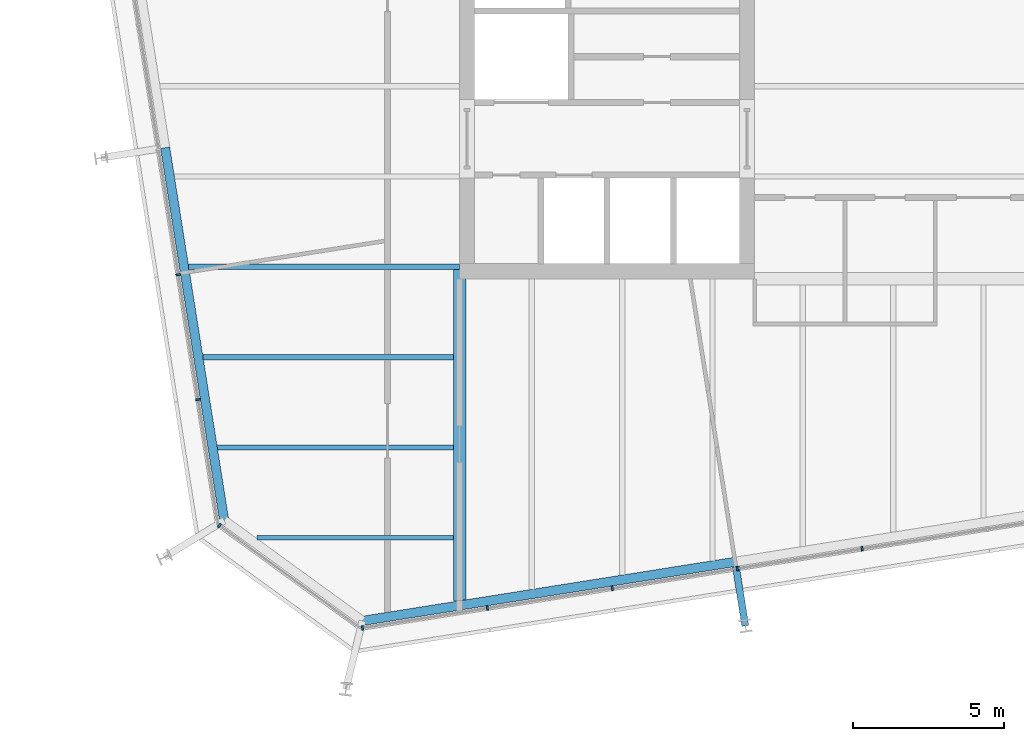
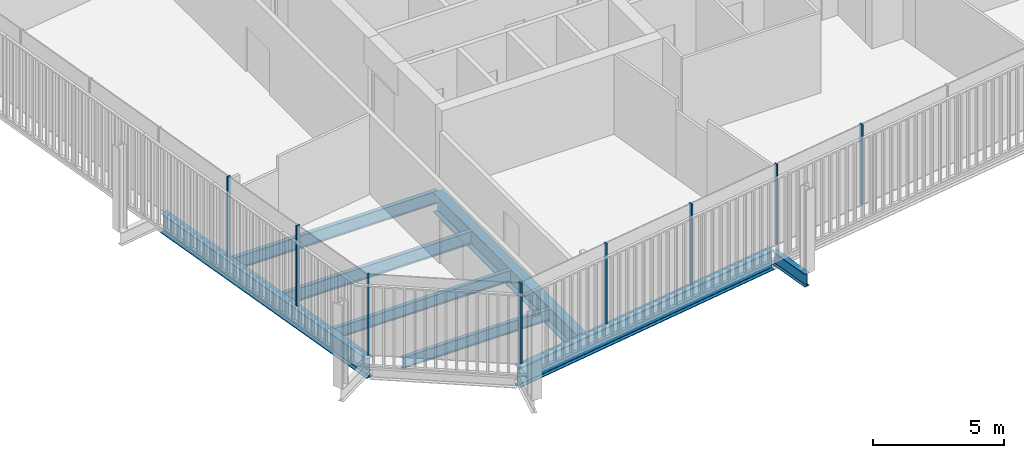
# One storey, part 2 of 20: 8 beams, 8 members, 3 elements without a shape of their own.
"""IFC4 building model written with IfcOpenShell, lengths in metres."""

from ifc_helpers import new_model, si_unit, direction, frame, origin, origin_2d, place, context, subcontext, project, spatial, rectangle, i_section, extrude, material, layer, layer_set, material_profile, profile_set, type_object, element, aggregate, save


model = new_model("IFC4")

# Units and contexts
model_context = context("Model", 3, precision=1e-05, world=origin(), true_north=direction((0.0, 1.0)))
body_context = subcontext(model_context, "Body", "Model", "MODEL_VIEW")
ifc_project = project(units=[si_unit("LENGTHUNIT", "METRE"), si_unit("AREAUNIT", "SQUARE_METRE"), si_unit("VOLUMEUNIT", "CUBIC_METRE"), si_unit("PLANEANGLEUNIT", "RADIAN"), si_unit("MASSUNIT", "GRAM", prefix="KILO")], contexts=[model_context])

# Site, building, storey
site_placement = place(None, origin())
site = spatial("IfcSite", under=ifc_project, at=site_placement, CompositionType="ELEMENT")
building_placement = place(site_placement, origin())
building = spatial("IfcBuilding", under=site, at=building_placement, Name="Millrace Tower", CompositionType="ELEMENT")
storey_placement = place(building_placement, frame((0.0, 0.0, 259.10009765625)))
storey = spatial("IfcBuildingStorey", under=building, at=storey_placement, Name="L59", CompositionType="ELEMENT", Elevation=259.10009765625)

# Curtain wall, member
ifc_material_1 = material(Name="Aluminium and glass", Category="aluminium")
ifc_layer = layer(ifc_material_1, 0.14990234375)
ifc_layer_set = layer_set([ifc_layer], Name="Aluminium and glass")
curtain_wall_type = type_object("IfcCurtainWallType", Name="CW-1 office vision curtain wall", PredefinedType="NOTDEFINED", material=ifc_layer_set)
placement = place(storey_placement, origin())
curtain_wall_1 = element("IfcCurtainWall", 1, at=placement, inside=storey, type_object=curtain_wall_type, Name="Curtain wall D-F01 L59", PredefinedType="NOTDEFINED")
ifc_material_2 = material(Name="Aluminium", Category="aluminium")
ifc_material_profile_1 = material_profile(ifc_material_2, rectangle(XDim=0.06494140625, YDim=0.14990234375, at=origin_2d()))
ifc_profile_set_1 = profile_set([ifc_material_profile_1], Name="Aluminium")
member_type = type_object("IfcMemberType", Name="CW-1 office vision curtain wall mullion", PredefinedType="MULLION", material=ifc_profile_set_1)
member_1_placement = place(storey_placement, frame((-22.3779296875, -17.594970703125, 0.139892578125), z_axis=(0.0, 0.0, 1.0), x_axis=(0.809016955361, -0.587785305991, 0.0)))
member_1 = element("IfcMember", 2, at=member_1_placement, type_object=member_type, Name="CW1 mullion D-F01.1", PredefinedType="MULLION", context=body_context, shape_type="SweptSolid", body=[
    extrude(rectangle(XDim=0.06494140625, YDim=0.14990234375, at=origin_2d()), origin(), (0.0, 0.0, 1.0), 3.760009765625),
])
aggregate(curtain_wall_1, [member_1])

# Curtain wall, members
curtain_wall_2 = element("IfcCurtainWall", 3, at=placement, inside=storey, type_object=curtain_wall_type, Name="Curtain wall D-F02 L59", PredefinedType="NOTDEFINED")
member_2_placement = place(storey_placement, frame((-17.62548828125, -20.992431640625, 0.139892578125), z_axis=(0.0, 0.0, 1.0), x_axis=(0.987688339511, 0.156434471884, 0.0)))
member_2 = element("IfcMember", 4, at=member_2_placement, type_object=member_type, Name="CW1 mullion D-F02.1", PredefinedType="MULLION", context=body_context, shape_type="SweptSolid", body=[
    extrude(rectangle(XDim=0.06494140625, YDim=0.14990234375, at=origin_2d()), origin(), (0.0, 0.0, 1.0), 3.760009765625),
])
member_3_placement = place(storey_placement, frame((-13.477294921875, -20.33544921875, 0.139892578125), z_axis=(0.0, 0.0, 1.0), x_axis=(0.987688339511, 0.156434471884, 0.0)))
member_3 = element("IfcMember", 5, at=member_3_placement, type_object=member_type, Name="CW1 mullion D-F02.2", PredefinedType="MULLION", context=body_context, shape_type="SweptSolid", body=[
    extrude(rectangle(XDim=0.06494140625, YDim=0.14990234375, at=origin_2d()), origin(), (0.0, 0.0, 1.0), 3.760009765625),
])
member_4_placement = place(storey_placement, frame((-9.328857421875, -19.678466796875, 0.139892578125), z_axis=(0.0, 0.0, 1.0), x_axis=(0.987688339511, 0.156434471884, 0.0)))
member_4 = element("IfcMember", 6, at=member_4_placement, type_object=member_type, Name="CW1 mullion D-F02.3", PredefinedType="MULLION", context=body_context, shape_type="SweptSolid", body=[
    extrude(rectangle(XDim=0.06494140625, YDim=0.14990234375, at=origin_2d()), origin(), (0.0, 0.0, 1.0), 3.760009765625),
])
member_5_placement = place(storey_placement, frame((-5.1806640625, -19.021240234375, 0.139892578125), z_axis=(0.0, 0.0, 1.0), x_axis=(0.987688339511, 0.156434471884, 0.0)))
member_5 = element("IfcMember", 7, at=member_5_placement, type_object=member_type, Name="CW1 mullion D-F02.4", PredefinedType="MULLION", context=body_context, shape_type="SweptSolid", body=[
    extrude(rectangle(XDim=0.06494140625, YDim=0.14990234375, at=origin_2d()), origin(), (0.0, 0.0, 1.0), 3.760009765625),
])
member_6_placement = place(storey_placement, frame((-1.0322265625, -18.3642578125, 0.139892578125), z_axis=(0.0, 0.0, 1.0), x_axis=(0.987688339511, 0.156434471884, 0.0)))
member_6 = element("IfcMember", 8, at=member_6_placement, type_object=member_type, Name="CW1 mullion D-F02.5", PredefinedType="MULLION", context=body_context, shape_type="SweptSolid", body=[
    extrude(rectangle(XDim=0.06494140625, YDim=0.14990234375, at=origin_2d()), origin(), (0.0, 0.0, 1.0), 3.760009765625),
])
aggregate(curtain_wall_2, [member_2, member_3, member_4, member_5, member_6])

curtain_wall_3 = element("IfcCurtainWall", 9, at=placement, inside=storey, type_object=curtain_wall_type, Name="Curtain wall D-F08 L59", PredefinedType="NOTDEFINED")
member_7_placement = place(storey_placement, frame((-23.7431640625, -9.262451171875, 0.139892578125), z_axis=(0.0, 0.0, 1.0), x_axis=(0.156434471884, -0.987688339511, 0.0)))
member_7 = element("IfcMember", 10, at=member_7_placement, type_object=member_type, Name="CW1 mullion D-F08.8", PredefinedType="MULLION", context=body_context, shape_type="SweptSolid", body=[
    extrude(rectangle(XDim=0.06494140625, YDim=0.14990234375, at=origin_2d()), origin(), (0.0, 0.0, 1.0), 3.760009765625),
])
member_8_placement = place(storey_placement, frame((-23.086181640625, -13.410888671875, 0.139892578125), z_axis=(0.0, 0.0, 1.0), x_axis=(0.156434471884, -0.987688339511, 0.0)))
member_8 = element("IfcMember", 11, at=member_8_placement, type_object=member_type, Name="CW1 mullion D-F08.9", PredefinedType="MULLION", context=body_context, shape_type="SweptSolid", body=[
    extrude(rectangle(XDim=0.06494140625, YDim=0.14990234375, at=origin_2d()), origin(), (0.0, 0.0, 1.0), 3.760009765625),
])
aggregate(curtain_wall_3, [member_7, member_8])

# Beams
ifc_material_3 = material(Name="Steel ASTM A992 Grade 50", Category="steel")
ifc_material_profile_2 = material_profile(ifc_material_3, i_section(OverallWidth=0.1650390625, OverallDepth=0.52587890625, WebThickness=0.0087890625, FlangeThickness=0.011474609375, FilletRadius=0.0126953125, at=origin_2d()))
ifc_profile_set_2 = profile_set([ifc_material_profile_2], Name="Steel ASTM A992 Grade 50")
beam_type_1 = type_object("IfcBeamType", Name="Floor beam W21x44", PredefinedType="JOIST", material=ifc_profile_set_2)
beam_1_placement = place(storey_placement, frame((-22.447509765625, -15.0, -0.423095703125), z_axis=(1.0, 0.0, 0.0), x_axis=(0.0, 1.0, 0.0)))
element("IfcBeam", 12, at=beam_1_placement, inside=storey, type_object=beam_type_1, Name="BM-D-L59-S1-S002", PredefinedType="JOIST", context=body_context, shape_type="SweptSolid", body=[
    extrude(i_section(OverallWidth=0.1650390625, OverallDepth=0.52587890625, WebThickness=0.0087890625, FlangeThickness=0.011474609375, FilletRadius=0.0126953125, at=origin_2d()), origin(), (0.0, 0.0, 1.0), 7.837890625),
])
beam_2_placement = place(storey_placement, frame((-21.13427734375, -18.0, -0.423095703125), z_axis=(1.0, 0.0, 0.0), x_axis=(0.0, 1.0, 0.0)))
element("IfcBeam", 13, at=beam_2_placement, inside=storey, type_object=beam_type_1, Name="BM-D-L59-S1-S001", PredefinedType="JOIST", context=body_context, shape_type="SweptSolid", body=[
    extrude(i_section(OverallWidth=0.1650390625, OverallDepth=0.52587890625, WebThickness=0.0087890625, FlangeThickness=0.011474609375, FilletRadius=0.0126953125, at=origin_2d()), origin(), (0.0, 0.0, 1.0), 6.524658203125),
])
ifc_material_4 = material(Name="Steel ASTM A992 Grade 50", Category="steel")
ifc_material_profile_3 = material_profile(ifc_material_4, i_section(OverallWidth=0.177978515625, OverallDepth=0.599365234375, WebThickness=0.010009765625, FlangeThickness=0.012939453125, FilletRadius=0.012939453125, at=origin_2d()))
ifc_profile_set_3 = profile_set([ifc_material_profile_3], Name="Steel ASTM A992 Grade 50")
beam_type_2 = type_object("IfcBeamType", Name="Floor beam W24x55", PredefinedType="JOIST", material=ifc_profile_set_3)
beam_3_placement = place(storey_placement, frame((-22.922607421875, -12.0, -0.459716796875), z_axis=(1.0, 0.0, 0.0), x_axis=(0.0, 1.0, 0.0)))
element("IfcBeam", 14, at=beam_3_placement, inside=storey, type_object=beam_type_2, Name="BM-D-L59-S1-S004", PredefinedType="JOIST", context=body_context, shape_type="SweptSolid", body=[
    extrude(i_section(OverallWidth=0.177978515625, OverallDepth=0.599365234375, WebThickness=0.010009765625, FlangeThickness=0.012939453125, FilletRadius=0.012939453125, at=origin_2d()), origin(), (0.0, 0.0, 1.0), 8.31298828125),
])
beam_4_placement = place(storey_placement, frame((-23.397705078125, -9.0, -0.459716796875), z_axis=(1.0, 0.0, 0.0), x_axis=(0.0, 1.0, 0.0)))
element("IfcBeam", 15, at=beam_4_placement, inside=storey, type_object=beam_type_2, Name="BM-D-L59-S1-S006", PredefinedType="JOIST", context=body_context, shape_type="SweptSolid", body=[
    extrude(i_section(OverallWidth=0.177978515625, OverallDepth=0.599365234375, WebThickness=0.010009765625, FlangeThickness=0.012939453125, FilletRadius=0.012939453125, at=origin_2d()), origin(), (0.0, 0.0, 1.0), 8.997802734375),
])
ifc_material_5 = material(Name="Steel ASTM A992 Grade 50", Category="steel")
ifc_material_profile_4 = material_profile(ifc_material_5, i_section(OverallWidth=0.419189453125, OverallDepth=0.927001953125, WebThickness=0.019287109375, FlangeThickness=0.031982421875, FilletRadius=0.024169921875, at=origin_2d()))
ifc_profile_set_4 = profile_set([ifc_material_profile_4], Name="Steel ASTM A992 Grade 50")
beam_type_3 = type_object("IfcBeamType", Name="Girder short span W36x231", PredefinedType="BEAM", material=ifc_profile_set_4)
beam_5_placement = place(storey_placement, frame((-14.39990234375, -20.08642578125, -0.62353515625), z_axis=(0.0, 1.0, 0.0), x_axis=(-1.0, 0.0, 0.0)))
element("IfcBeam", 16, at=beam_5_placement, inside=storey, type_object=beam_type_3, Name="BM-D-L59-S1-G055", PredefinedType="BEAM", context=body_context, shape_type="SweptSolid", body=[
    extrude(i_section(OverallWidth=0.419189453125, OverallDepth=0.927001953125, WebThickness=0.019287109375, FlangeThickness=0.031982421875, FilletRadius=0.024169921875, at=origin_2d()), origin(), (0.0, 0.0, 1.0), 10.994384765625),
])
ifc_material_6 = material(Name="Steel ASTM A992 Grade 50", Category="steel")
ifc_material_profile_5 = material_profile(ifc_material_6, i_section(OverallWidth=0.23046875, OverallDepth=0.6171875, WebThickness=0.01318359375, FlangeThickness=0.022216796875, FilletRadius=0.012939453125, at=origin_2d()))
ifc_profile_set_5 = profile_set([ifc_material_profile_5], Name="Steel ASTM A992 Grade 50")
beam_type_4 = type_object("IfcBeamType", Name="Link beam W24x94", PredefinedType="BEAM", material=ifc_profile_set_5)
beam_6_placement = place(storey_placement, frame((-5.224365234375, -18.952392578125, -0.46875), z_axis=(0.15637629034, -0.987697552806, 0.0), x_axis=(0.987697552806, 0.15637629034, 0.0)))
element("IfcBeam", 17, at=beam_6_placement, inside=storey, type_object=beam_type_4, Name="LNK-D-L59-S1-15", PredefinedType="BEAM", context=body_context, shape_type="SweptSolid", body=[
    extrude(i_section(OverallWidth=0.23046875, OverallDepth=0.6171875, WebThickness=0.01318359375, FlangeThickness=0.022216796875, FilletRadius=0.012939453125, at=origin_2d()), origin(), (0.0, 0.0, 1.0), 2.0),
])
ifc_material_7 = material(Name="Steel ASTM A992 Grade 50", Category="steel")
ifc_material_profile_6 = material_profile(ifc_material_7, i_section(OverallWidth=0.307373046875, OverallDepth=0.927001953125, WebThickness=0.01953125, FlangeThickness=0.031982421875, FilletRadius=0.01904296875, at=origin_2d()))
ifc_profile_set_6 = profile_set([ifc_material_profile_6], Name="Steel ASTM A992 Grade 50")
beam_type_5 = type_object("IfcBeamType", Name="Ring beam medium span W36x194", PredefinedType="SPANDREL", material=ifc_profile_set_6)
beam_7_placement = place(storey_placement, frame((-22.218505859375, -17.428466796875, -0.62353515625), z_axis=(-0.156419577072, 0.987690698503, 0.0), x_axis=(-0.987690698503, -0.156419577072, 0.0)))
element("IfcBeam", 18, at=beam_7_placement, inside=storey, type_object=beam_type_5, Name="RNG-D-L59-S1-01", PredefinedType="SPANDREL", context=body_context, shape_type="SweptSolid", body=[
    extrude(i_section(OverallWidth=0.307373046875, OverallDepth=0.927001953125, WebThickness=0.01953125, FlangeThickness=0.031982421875, FilletRadius=0.01904296875, at=origin_2d()), origin(), (0.0, 0.0, 1.0), 12.536376953125),
])
beam_8_placement = place(storey_placement, frame((-5.24853515625, -18.800537109375, -0.62353515625), z_axis=(-0.987687213011, -0.156441584157, 0.0), x_axis=(0.156441584157, -0.987687213011, 0.0)))
element("IfcBeam", 19, at=beam_8_placement, inside=storey, type_object=beam_type_5, Name="RNG-D-L59-S1-15", PredefinedType="SPANDREL", context=body_context, shape_type="SweptSolid", body=[
    extrude(i_section(OverallWidth=0.307373046875, OverallDepth=0.927001953125, WebThickness=0.01953125, FlangeThickness=0.031982421875, FilletRadius=0.01904296875, at=origin_2d()), origin(), (0.0, 0.0, 1.0), 12.5361328125),
])

save(model, "model.ifc")
